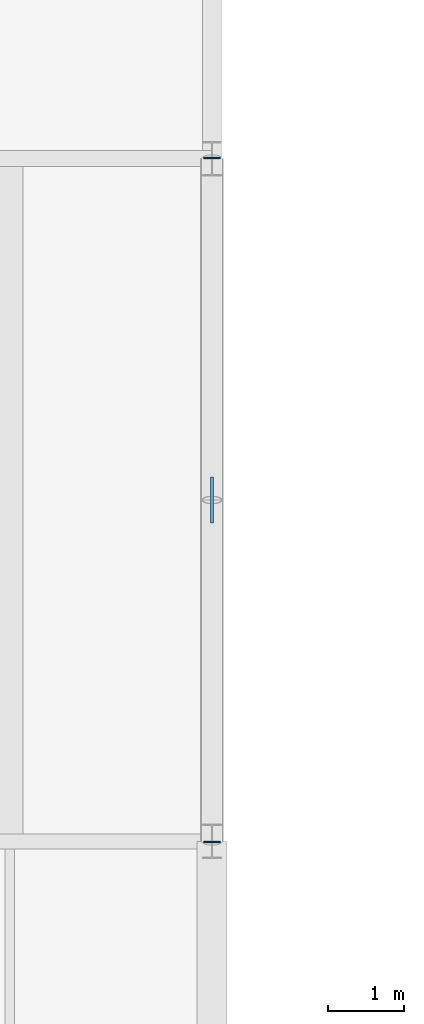
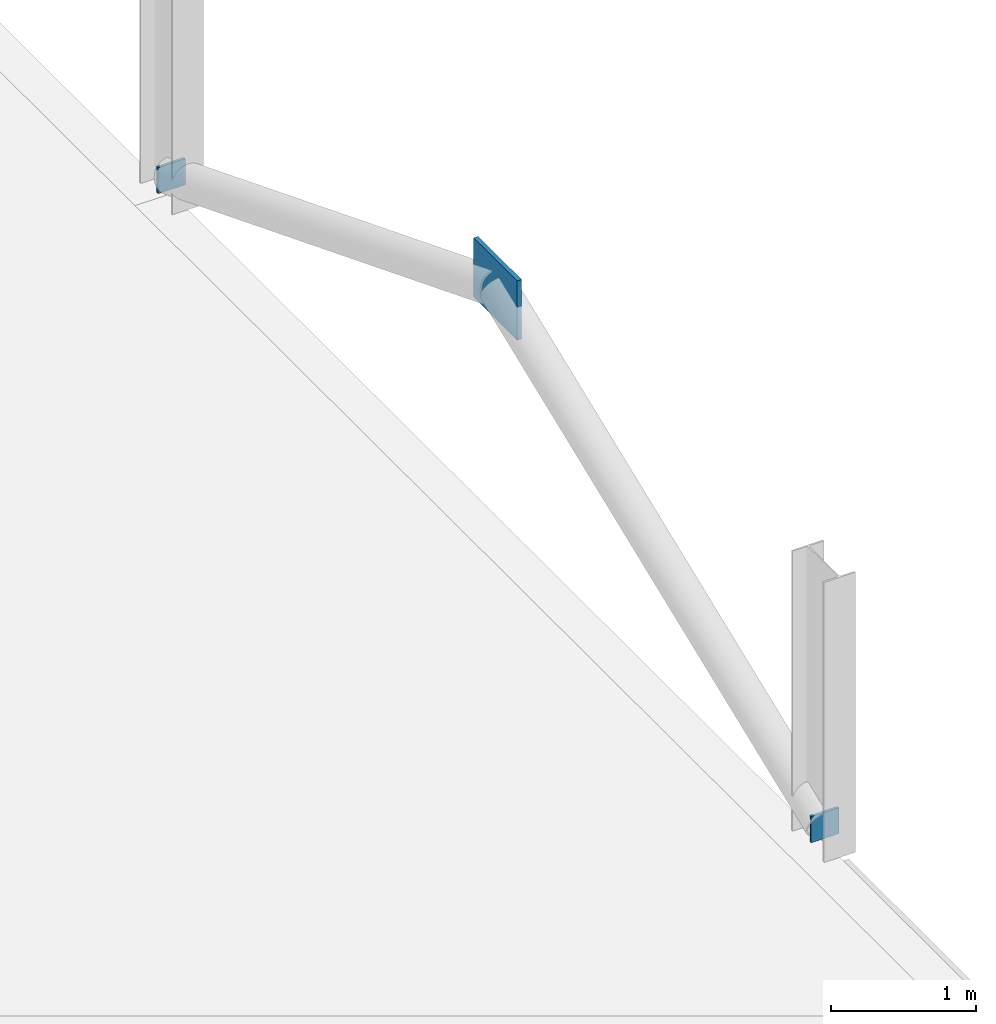
# One storey, part 7 of 12: 3 plates.
"""IFC4 building model written with IfcOpenShell, lengths in metres."""

from ifc_helpers import new_model, si_unit, derived_unit, direction, frame, origin, origin_2d, place, context, subcontext, project, spatial, rectangle, extrude, material, layer, layer_set, type_object, element, save


model = new_model("IFC4")

# Units and contexts
model_context = context("Model", 3, precision=1e-05, world=origin(), true_north=direction((0.0, 1.0)))
body_context = subcontext(model_context, "Body", "Model", "MODEL_VIEW")
ifc_project = project(units=[si_unit("LENGTHUNIT", "METRE"), si_unit("AREAUNIT", "SQUARE_METRE"), si_unit("VOLUMEUNIT", "CUBIC_METRE"), si_unit("PLANEANGLEUNIT", "RADIAN"), si_unit("MASSUNIT", "GRAM", prefix="KILO"), derived_unit("THERMALTRANSMITTANCEUNIT", [(si_unit("POWERUNIT", "WATT"), 1), (si_unit("LENGTHUNIT", "METRE"), -2), (si_unit("THERMODYNAMICTEMPERATUREUNIT", "KELVIN"), -1)])], contexts=[model_context])

# Site, building, storey
site_placement = place(None, origin())
site = spatial("IfcSite", under=ifc_project, at=site_placement, CompositionType="ELEMENT")
building_placement = place(site_placement, origin())
building = spatial("IfcBuilding", under=site, at=building_placement, Name="Nallur Shell Playhouse", CompositionType="ELEMENT")
storey_placement = place(building_placement, frame((0.0, 0.0, 28.800048828125)))
storey = spatial("IfcBuildingStorey", under=building, at=storey_placement, Name="RF1", CompositionType="ELEMENT", Elevation=28.800048828125)

# Plates
ifc_material = material(Name="Steel E350", Category="steel")
ifc_layer_1 = layer(ifc_material, 0.02001953125)
ifc_layer_set_1 = layer_set([ifc_layer_1], Name="Steel E350")
plate_type_1 = type_object("IfcPlateType", Name="PT-ENDCAP-20", PredefinedType="SHEET", material=ifc_layer_set_1)
for number, where, z_axis, x_axis, name in (
    (1, (64.0, 55.99072265625, 0.0361328125), (0.0, 0.0, 1.0), (1.0, 0.0, 0.0), "Hollow end cap EC-BR-FT-RF1-049-0"),
    (2, (64.0, 65.00927734375, 0.0361328125), (0.0, 0.0, 1.0), (1.0, 0.0, 0.0), "Hollow end cap EC-BR-FT-RF1-050-0"),
):
    element("IfcPlate", number, at=place(storey_placement, frame(where, z_axis=z_axis, x_axis=x_axis)), inside=storey, type_object=plate_type_1, Name=name, PredefinedType="SHEET", context=body_context, shape_type="SweptSolid", body=[
        extrude(rectangle(XDim=0.219970703125, YDim=0.02001953125, at=origin_2d()), origin(), (0.0, 0.0, 1.0), 0.219970703125),
    ])
ifc_layer_2 = layer(ifc_material, 0.034912109375)
ifc_layer_set_2 = layer_set([ifc_layer_2], Name="Steel E350")
plate_type_2 = type_object("IfcPlateType", Name="PT-GUSSET-35", PredefinedType="USERDEFINED", material=ifc_layer_set_2)
plate_placement = place(storey_placement, frame((64.0, 60.5, 1.679931640625), z_axis=(0.0, 0.0, 1.0), x_axis=(1.0, 0.0, 0.0)))
element("IfcPlate", 3, at=plate_placement, inside=storey, type_object=plate_type_2, Name="Fly tower chevron node gusset plate TN-02 (RF1)", ObjectType="GUSSET PLATE", PredefinedType="USERDEFINED", context=body_context, shape_type="SweptSolid", body=[
    extrude(rectangle(XDim=0.034912109375, YDim=0.60009765625, at=origin_2d()), origin(), (0.0, 0.0, 1.0), 0.5),
])

save(model, "model.ifc")
